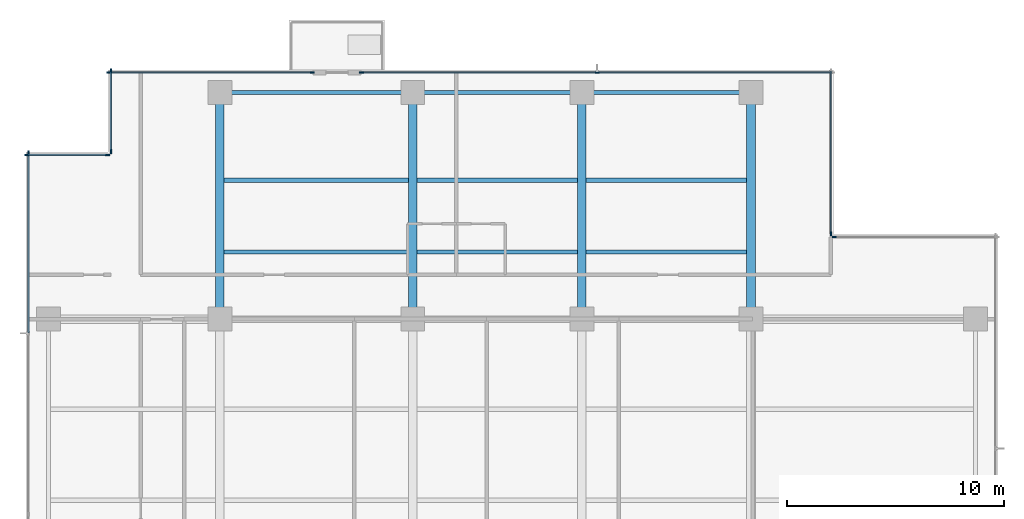
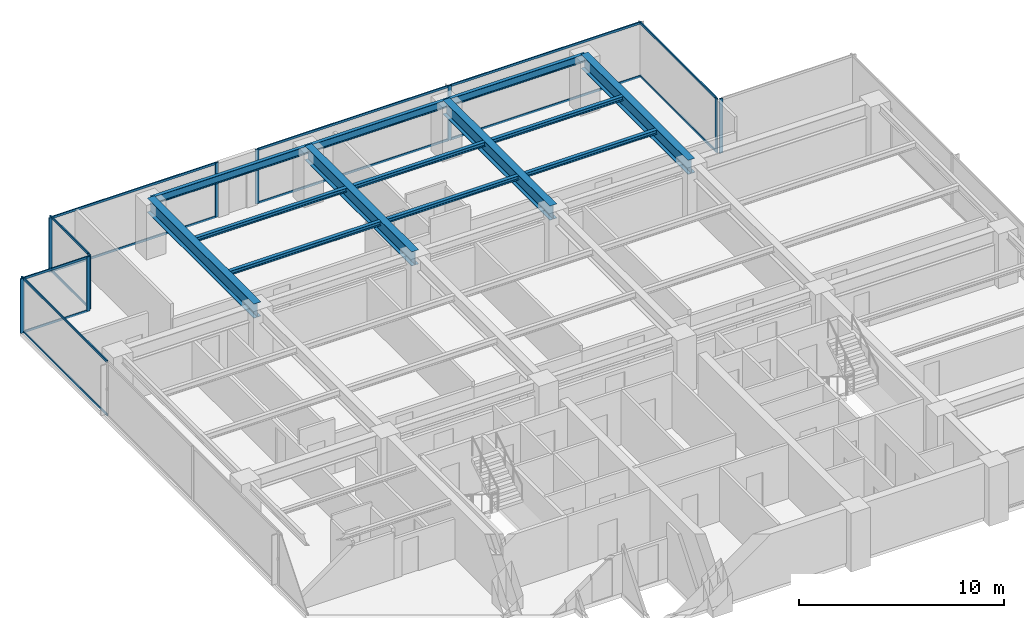
# One storey, part 4 of 14: 25 members, 13 beams, 7 elements without a shape of their own.
"""IFC4 building model written with IfcOpenShell, lengths in metres."""

from ifc_helpers import new_model, si_unit, direction, frame, origin, origin_2d, place, context, subcontext, project, spatial, rectangle, i_section, extrude, material, layer, layer_set, material_profile, profile_set, type_object, element, aggregate, save


model = new_model("IFC4")

# Units and contexts
model_context = context("Model", 3, precision=1e-05, world=origin(), true_north=direction((0.0, 1.0)))
body_context = subcontext(model_context, "Body", "Model", "MODEL_VIEW")
ifc_project = project(units=[si_unit("LENGTHUNIT", "METRE"), si_unit("AREAUNIT", "SQUARE_METRE"), si_unit("VOLUMEUNIT", "CUBIC_METRE"), si_unit("PLANEANGLEUNIT", "RADIAN"), si_unit("MASSUNIT", "GRAM", prefix="KILO")], contexts=[model_context])

# Site, building, storey
site_placement = place(None, origin())
site = spatial("IfcSite", under=ifc_project, at=site_placement, CompositionType="ELEMENT")
building_placement = place(site_placement, origin())
building = spatial("IfcBuilding", under=site, at=building_placement, Name="Qalmaran Belvedere Hotel", CompositionType="ELEMENT")
storey_placement = place(building_placement, frame((0.0, 0.0, 177.10009765625)))
storey = spatial("IfcBuildingStorey", under=building, at=storey_placement, Name="L45", CompositionType="ELEMENT", Elevation=177.10009765625)

# Beams
ifc_material_1 = material(Name="Steel S355JR", Category="steel")
ifc_material_profile_1 = material_profile(ifc_material_1, i_section(OverallWidth=0.201904296875, OverallDepth=0.2470703125, WebThickness=0.00732421875, FlangeThickness=0.010986328125, FilletRadius=0.011962890625, at=origin_2d()), Name="W250X49")
ifc_profile_set_1 = profile_set([ifc_material_profile_1], Name="Steel S355JR")
beam_type_1 = type_object("IfcBeamType", Name="BM-JST-W250X49", PredefinedType="JOIST", material=ifc_profile_set_1)
beam_1_placement = place(storey_placement, frame((20.498046875, 36.10009765625, 3.12646484375), z_axis=(1.0, 0.0, 0.0), x_axis=(0.0, 1.0, 0.0)))
element("IfcBeam", 1, at=beam_1_placement, inside=storey, type_object=beam_type_1, Name="L45 North Floor Joist 042", PredefinedType="JOIST", context=body_context, shape_type="SweptSolid", body=[
    extrude(i_section(OverallWidth=0.201904296875, OverallDepth=0.2470703125, WebThickness=0.00732421875, FlangeThickness=0.010986328125, FilletRadius=0.011962890625, at=origin_2d()), origin(), (0.0, 0.0, 1.0), 8.50390625),
])
for number, where, z_axis, x_axis, name in (
    (2, (29.39794921875, 36.10009765625, 3.12646484375), (1.0, 0.0, 0.0), (0.0, 1.0, 0.0), "L45 North Floor Joist 043"),
    (3, (37.197998046875, 36.10009765625, 3.12646484375), (1.0, 0.0, 0.0), (0.0, 1.0, 0.0), "L45 North Floor Joist 044"),
):
    element("IfcBeam", number, at=place(storey_placement, frame(where, z_axis=z_axis, x_axis=x_axis)), inside=storey, type_object=beam_type_1, Name=name, PredefinedType="JOIST", context=body_context, shape_type="SweptSolid", body=[
        extrude(i_section(OverallWidth=0.201904296875, OverallDepth=0.2470703125, WebThickness=0.00732421875, FlangeThickness=0.010986328125, FilletRadius=0.011962890625, at=origin_2d()), origin(), (0.0, 0.0, 1.0), 7.404052734375),
    ])
beam_2_placement = place(storey_placement, frame((20.498046875, 39.39990234375, 3.12646484375), z_axis=(1.0, 0.0, 0.0), x_axis=(0.0, 1.0, 0.0)))
element("IfcBeam", 4, at=beam_2_placement, inside=storey, type_object=beam_type_1, Name="L45 North Floor Joist 045", PredefinedType="JOIST", context=body_context, shape_type="SweptSolid", body=[
    extrude(i_section(OverallWidth=0.201904296875, OverallDepth=0.2470703125, WebThickness=0.00732421875, FlangeThickness=0.010986328125, FilletRadius=0.011962890625, at=origin_2d()), origin(), (0.0, 0.0, 1.0), 8.50390625),
])
for number, where, z_axis, x_axis, name in (
    (5, (29.39794921875, 39.39990234375, 3.12646484375), (1.0, 0.0, 0.0), (0.0, 1.0, 0.0), "L45 North Floor Joist 046"),
    (6, (37.197998046875, 39.39990234375, 3.12646484375), (1.0, 0.0, 0.0), (0.0, 1.0, 0.0), "L45 North Floor Joist 047"),
):
    element("IfcBeam", number, at=place(storey_placement, frame(where, z_axis=z_axis, x_axis=x_axis)), inside=storey, type_object=beam_type_1, Name=name, PredefinedType="JOIST", context=body_context, shape_type="SweptSolid", body=[
        extrude(i_section(OverallWidth=0.201904296875, OverallDepth=0.2470703125, WebThickness=0.00732421875, FlangeThickness=0.010986328125, FilletRadius=0.011962890625, at=origin_2d()), origin(), (0.0, 0.0, 1.0), 7.404052734375),
    ])
ifc_material_profile_2 = material_profile(ifc_material_1, i_section(OverallWidth=0.39990234375, OverallDepth=0.85498046875, WebThickness=0.018310546875, FlangeThickness=0.029296875, FilletRadius=0.02392578125, at=origin_2d()), Name="W840X299")
ifc_profile_set_2 = profile_set([ifc_material_profile_2], Name="Steel S355JR")
beam_type_2 = type_object("IfcBeamType", Name="BM-PG3-W840X299", PredefinedType="USERDEFINED", material=ifc_profile_set_2)
for number, where, z_axis, x_axis, name in (
    (7, (20.300048828125, 33.0, 2.822509765625), (0.0, 1.0, 0.0), (-1.0, 0.0, 0.0), "L45 North Bay Girder 15"),
    (8, (29.199951171875, 33.0, 2.822509765625), (0.0, 1.0, 0.0), (-1.0, 0.0, 0.0), "L45 North Bay Girder 17"),
    (9, (37.0, 33.0, 2.822509765625), (0.0, 1.0, 0.0), (-1.0, 0.0, 0.0), "L45 North Bay Girder 19"),
    (10, (44.800048828125, 33.0, 2.822509765625), (0.0, 1.0, 0.0), (-1.0, 0.0, 0.0), "L45 North Bay Girder 21"),
):
    element("IfcBeam", number, at=place(storey_placement, frame(where, z_axis=z_axis, x_axis=x_axis)), inside=storey, type_object=beam_type_2, Name=name, ObjectType="GIRDER", PredefinedType="USERDEFINED", context=body_context, shape_type="SweptSolid", body=[
        extrude(i_section(OverallWidth=0.39990234375, OverallDepth=0.85498046875, WebThickness=0.018310546875, FlangeThickness=0.029296875, FilletRadius=0.02392578125, at=origin_2d()), origin(), (0.0, 0.0, 1.0), 10.449951171875),
    ])
ifc_material_profile_3 = material_profile(ifc_material_1, i_section(OverallWidth=0.19189453125, OverallDepth=0.462890625, WebThickness=0.010498046875, FlangeThickness=0.017578125, FilletRadius=0.01611328125, at=origin_2d()), Name="W460X89")
ifc_profile_set_3 = profile_set([ifc_material_profile_3], Name="Steel S355JR")
beam_type_3 = type_object("IfcBeamType", Name="BM-SP2-W460X89", PredefinedType="SPANDREL", material=ifc_profile_set_3)
beam_3_placement = place(storey_placement, frame((20.300048828125, 43.449951171875, 3.018310546875), z_axis=(1.0, 0.0, 0.0), x_axis=(0.0, 1.0, 0.0)))
element("IfcBeam", 11, at=beam_3_placement, inside=storey, type_object=beam_type_3, Name="L45 Perimeter Spandrel 05", PredefinedType="SPANDREL", context=body_context, shape_type="SweptSolid", body=[
    extrude(i_section(OverallWidth=0.19189453125, OverallDepth=0.462890625, WebThickness=0.010498046875, FlangeThickness=0.017578125, FilletRadius=0.01611328125, at=origin_2d()), origin(), (0.0, 0.0, 1.0), 8.89990234375),
])
for number, where, z_axis, x_axis, name in (
    (12, (29.199951171875, 43.449951171875, 3.018310546875), (1.0, 0.0, 0.0), (0.0, 1.0, 0.0), "L45 Perimeter Spandrel 06"),
    (13, (37.0, 43.449951171875, 3.018310546875), (1.0, 0.0, 0.0), (0.0, 1.0, 0.0), "L45 Perimeter Spandrel 07"),
):
    element("IfcBeam", number, at=place(storey_placement, frame(where, z_axis=z_axis, x_axis=x_axis)), inside=storey, type_object=beam_type_3, Name=name, PredefinedType="SPANDREL", context=body_context, shape_type="SweptSolid", body=[
        extrude(i_section(OverallWidth=0.19189453125, OverallDepth=0.462890625, WebThickness=0.010498046875, FlangeThickness=0.017578125, FilletRadius=0.01611328125, at=origin_2d()), origin(), (0.0, 0.0, 1.0), 7.800048828125),
    ])

# Curtain wall, member
ifc_material_2 = material(Name="Anodised Bronze Aluminium", Category="aluminium")
ifc_layer = layer(ifc_material_2, 0.195068359375, Name="Anodised Bronze Aluminium")
ifc_layer_set = layer_set([ifc_layer], Name="Anodised Bronze Aluminium")
curtain_wall_type = type_object("IfcCurtainWallType", Name="CW4-TOWER-HIGHMID", PredefinedType="NOTDEFINED", material=ifc_layer_set)
curtain_wall_1_placement = place(storey_placement, origin())
curtain_wall_1 = element("IfcCurtainWall", 14, at=curtain_wall_1_placement, inside=storey, type_object=curtain_wall_type, Name="L45 Curtain Wall CW4", PredefinedType="NOTDEFINED")
ifc_material_profile_4 = material_profile(ifc_material_2, rectangle(XDim=0.070068359375, YDim=0.18994140625, at=origin_2d()), Name="CWM70X190")
ifc_profile_set_4 = profile_set([ifc_material_profile_4], Name="Anodised Bronze Aluminium")
member_type_1 = type_object("IfcMemberType", Name="CWM-70X190", PredefinedType="MULLION", material=ifc_profile_set_4)
member_1_placement = place(storey_placement, frame((48.635009765625, 36.780029296875, 0.0), z_axis=(0.0, 0.0, 1.0), x_axis=(0.0, -1.0, 0.0)))
member_1 = element("IfcMember", 15, at=member_1_placement, type_object=member_type_1, Name="CW4 mullion 2", PredefinedType="MULLION", context=body_context, shape_type="SweptSolid", body=[
    extrude(rectangle(XDim=0.070068359375, YDim=0.18994140625, at=origin_2d()), origin(), (0.0, 0.0, 1.0), 3.25),
])
aggregate(curtain_wall_1, [member_1])

curtain_wall_2_placement = place(storey_placement, origin())
curtain_wall_2 = element("IfcCurtainWall", 16, at=curtain_wall_2_placement, inside=storey, type_object=curtain_wall_type, Name="L45 Curtain Wall CW4", PredefinedType="NOTDEFINED")
member_2_placement = place(storey_placement, frame((48.47998046875, 36.93505859375, 0.0), z_axis=(0.0, 0.0, 1.0), x_axis=(-1.0, 0.0, 0.0)))
member_2 = element("IfcMember", 17, at=member_2_placement, type_object=member_type_1, Name="CW4 mullion 1", PredefinedType="MULLION", context=body_context, shape_type="SweptSolid", body=[
    extrude(rectangle(XDim=0.070068359375, YDim=0.18994140625, at=origin_2d()), origin(), (0.0, 0.0, 1.0), 3.25),
])

# Curtain wall, members
curtain_wall_3_placement = place(storey_placement, origin())
curtain_wall_3 = element("IfcCurtainWall", 18, at=curtain_wall_3_placement, inside=storey, type_object=curtain_wall_type, Name="L45 Curtain Wall CW4", PredefinedType="NOTDEFINED")
member_3_placement = place(storey_placement, frame((24.56494140625, 44.3798828125, 0.0), z_axis=(0.0, 0.0, 1.0), x_axis=(0.0, -1.0, 0.0)))
member_3 = element("IfcMember", 19, at=member_3_placement, type_object=member_type_1, Name="CW4 mullion 1", PredefinedType="MULLION", context=body_context, shape_type="SweptSolid", body=[
    extrude(rectangle(XDim=0.070068359375, YDim=0.18994140625, at=origin_2d()), origin(), (0.0, 0.0, 1.0), 3.25),
])
member_4_placement = place(storey_placement, frame((15.18505859375, 44.3798828125, 0.0), z_axis=(0.0, 0.0, 1.0), x_axis=(0.0, -1.0, 0.0)))
member_4 = element("IfcMember", 20, at=member_4_placement, type_object=member_type_1, Name="CW4 mullion 2", PredefinedType="MULLION", context=body_context, shape_type="SweptSolid", body=[
    extrude(rectangle(XDim=0.070068359375, YDim=0.18994140625, at=origin_2d()), origin(), (0.0, 0.0, 1.0), 3.25),
])

curtain_wall_4_placement = place(storey_placement, origin())
curtain_wall_4 = element("IfcCurtainWall", 21, at=curtain_wall_4_placement, inside=storey, type_object=curtain_wall_type, Name="L45 Curtain Wall CW4", PredefinedType="NOTDEFINED")
member_5_placement = place(storey_placement, frame((37.699951171875, 44.3798828125, 0.0), z_axis=(0.0, 0.0, 1.0), x_axis=(0.0, -1.0, 0.0)))
member_5 = element("IfcMember", 22, at=member_5_placement, type_object=member_type_1, Name="CW4 mullion 2", PredefinedType="MULLION", context=body_context, shape_type="SweptSolid", body=[
    extrude(rectangle(XDim=0.070068359375, YDim=0.18994140625, at=origin_2d()), origin(), (0.0, 0.0, 1.0), 3.25),
])
member_6_placement = place(storey_placement, frame((26.8349609375, 44.3798828125, 0.0), z_axis=(0.0, 0.0, 1.0), x_axis=(0.0, -1.0, 0.0)))
member_6 = element("IfcMember", 23, at=member_6_placement, type_object=member_type_1, Name="CW4 mullion 3", PredefinedType="MULLION", context=body_context, shape_type="SweptSolid", body=[
    extrude(rectangle(XDim=0.070068359375, YDim=0.18994140625, at=origin_2d()), origin(), (0.0, 0.0, 1.0), 3.25),
])

curtain_wall_5_placement = place(storey_placement, origin())
curtain_wall_5 = element("IfcCurtainWall", 24, at=curtain_wall_5_placement, inside=storey, type_object=curtain_wall_type, Name="L45 Curtain Wall CW4", PredefinedType="NOTDEFINED")
member_7_placement = place(storey_placement, frame((15.27001953125, 44.465087890625, 0.0), z_axis=(0.0, 0.0, 1.0), x_axis=(1.0, 0.0, 0.0)))
member_7 = element("IfcMember", 25, at=member_7_placement, type_object=member_type_1, Name="CW4 mullion 1", PredefinedType="MULLION", context=body_context, shape_type="SweptSolid", body=[
    extrude(rectangle(XDim=0.070068359375, YDim=0.18994140625, at=origin_2d()), origin(), (0.0, 0.0, 1.0), 3.25),
])
member_8_placement = place(storey_placement, frame((15.27001953125, 40.735107421875, 0.0), z_axis=(0.0, 0.0, 1.0), x_axis=(1.0, 0.0, 0.0)))
member_8 = element("IfcMember", 26, at=member_8_placement, type_object=member_type_1, Name="CW4 mullion 2", PredefinedType="MULLION", context=body_context, shape_type="SweptSolid", body=[
    extrude(rectangle(XDim=0.070068359375, YDim=0.18994140625, at=origin_2d()), origin(), (0.0, 0.0, 1.0), 3.25),
])

curtain_wall_6_placement = place(storey_placement, origin())
curtain_wall_6 = element("IfcCurtainWall", 27, at=curtain_wall_6_placement, inside=storey, type_object=curtain_wall_type, Name="L45 Curtain Wall CW4", PredefinedType="NOTDEFINED")
member_9_placement = place(storey_placement, frame((15.114990234375, 40.580078125, 0.0), z_axis=(0.0, 0.0, 1.0), x_axis=(0.0, -1.0, 0.0)))
member_9 = element("IfcMember", 28, at=member_9_placement, type_object=member_type_1, Name="CW4 mullion 1", PredefinedType="MULLION", context=body_context, shape_type="SweptSolid", body=[
    extrude(rectangle(XDim=0.070068359375, YDim=0.18994140625, at=origin_2d()), origin(), (0.0, 0.0, 1.0), 3.25),
])
member_10_placement = place(storey_placement, frame((11.385009765625, 40.580078125, 0.0), z_axis=(0.0, 0.0, 1.0), x_axis=(0.0, -1.0, 0.0)))
member_10 = element("IfcMember", 29, at=member_10_placement, type_object=member_type_1, Name="CW4 mullion 2", PredefinedType="MULLION", context=body_context, shape_type="SweptSolid", body=[
    extrude(rectangle(XDim=0.070068359375, YDim=0.18994140625, at=origin_2d()), origin(), (0.0, 0.0, 1.0), 3.25),
])

# Curtain wall, member
curtain_wall_7_placement = place(storey_placement, origin())
curtain_wall_7 = element("IfcCurtainWall", 30, at=curtain_wall_7_placement, inside=storey, type_object=curtain_wall_type, Name="L45 Curtain Wall CW4", PredefinedType="NOTDEFINED")
member_11_placement = place(storey_placement, frame((11.469970703125, 40.6650390625, 0.0), z_axis=(0.0, 0.0, 1.0), x_axis=(1.0, 0.0, 0.0)))
member_11 = element("IfcMember", 31, at=member_11_placement, type_object=member_type_1, Name="CW4 mullion 1", PredefinedType="MULLION", context=body_context, shape_type="SweptSolid", body=[
    extrude(rectangle(XDim=0.070068359375, YDim=0.18994140625, at=origin_2d()), origin(), (0.0, 0.0, 1.0), 3.25),
])

# Member
ifc_material_profile_5 = material_profile(ifc_material_2, rectangle(XDim=0.06494140625, YDim=0.1298828125, at=origin_2d()), Name="CWT65X130")
ifc_profile_set_5 = profile_set([ifc_material_profile_5], Name="Anodised Bronze Aluminium")
member_type_2 = type_object("IfcMemberType", Name="CWT-65X130", PredefinedType="USERDEFINED", material=ifc_profile_set_5)
member_12_placement = place(storey_placement, frame((48.47998046875, 36.969970703125, 0.032470703125), z_axis=(0.0, 1.0, 0.0), x_axis=(-1.0, 0.0, 0.0)))
member_12 = element("IfcMember", 32, at=member_12_placement, type_object=member_type_2, Name="CW4 transom 1.1", ObjectType="TRANSOM", PredefinedType="USERDEFINED", context=body_context, shape_type="SweptSolid", body=[
    extrude(rectangle(XDim=0.06494140625, YDim=0.1298828125, at=origin_2d()), origin(), (0.0, 0.0, 1.0), 7.4599609375),
])

member_13_placement = place(storey_placement, frame((48.47998046875, 36.969970703125, 3.21728515625), z_axis=(0.0, 1.0, 0.0), x_axis=(-1.0, 0.0, 0.0)))
member_13 = element("IfcMember", 33, at=member_13_placement, type_object=member_type_2, Name="CW4 transom 1.2", ObjectType="TRANSOM", PredefinedType="USERDEFINED", context=body_context, shape_type="SweptSolid", body=[
    extrude(rectangle(XDim=0.06494140625, YDim=0.1298828125, at=origin_2d()), origin(), (0.0, 0.0, 1.0), 7.4599609375),
])

aggregate(curtain_wall_2, [member_2, member_12, member_13])

member_14_placement = place(storey_placement, frame((24.530029296875, 44.3798828125, 0.032470703125), z_axis=(-1.0, 0.0, 0.0), x_axis=(0.0, -1.0, 0.0)))
member_14 = element("IfcMember", 34, at=member_14_placement, type_object=member_type_2, Name="CW4 transom 1.1", ObjectType="TRANSOM", PredefinedType="USERDEFINED", context=body_context, shape_type="SweptSolid", body=[
    extrude(rectangle(XDim=0.06494140625, YDim=0.1298828125, at=origin_2d()), origin(), (0.0, 0.0, 1.0), 9.31005859375),
])

member_15_placement = place(storey_placement, frame((24.530029296875, 44.3798828125, 3.21728515625), z_axis=(-1.0, 0.0, 0.0), x_axis=(0.0, -1.0, 0.0)))
member_15 = element("IfcMember", 35, at=member_15_placement, type_object=member_type_2, Name="CW4 transom 1.2", ObjectType="TRANSOM", PredefinedType="USERDEFINED", context=body_context, shape_type="SweptSolid", body=[
    extrude(rectangle(XDim=0.06494140625, YDim=0.1298828125, at=origin_2d()), origin(), (0.0, 0.0, 1.0), 9.31005859375),
])

aggregate(curtain_wall_3, [member_3, member_4, member_14, member_15])

member_16_placement = place(storey_placement, frame((48.530029296875, 44.3798828125, 0.032470703125), z_axis=(-1.0, 0.0, 0.0), x_axis=(0.0, -1.0, 0.0)))
member_16 = element("IfcMember", 36, at=member_16_placement, type_object=member_type_2, Name="CW4 transom 1.1", ObjectType="TRANSOM", PredefinedType="USERDEFINED", context=body_context, shape_type="SweptSolid", body=[
    extrude(rectangle(XDim=0.06494140625, YDim=0.1298828125, at=origin_2d()), origin(), (0.0, 0.0, 1.0), 10.794921875),
])

member_17_placement = place(storey_placement, frame((48.530029296875, 44.3798828125, 3.21728515625), z_axis=(-1.0, 0.0, 0.0), x_axis=(0.0, -1.0, 0.0)))
member_17 = element("IfcMember", 37, at=member_17_placement, type_object=member_type_2, Name="CW4 transom 1.2", ObjectType="TRANSOM", PredefinedType="USERDEFINED", context=body_context, shape_type="SweptSolid", body=[
    extrude(rectangle(XDim=0.06494140625, YDim=0.1298828125, at=origin_2d()), origin(), (0.0, 0.0, 1.0), 10.794921875),
])

member_18_placement = place(storey_placement, frame((37.6650390625, 44.3798828125, 0.032470703125), z_axis=(-1.0, 0.0, 0.0), x_axis=(0.0, -1.0, 0.0)))
member_18 = element("IfcMember", 38, at=member_18_placement, type_object=member_type_2, Name="CW4 transom 2.1", ObjectType="TRANSOM", PredefinedType="USERDEFINED", context=body_context, shape_type="SweptSolid", body=[
    extrude(rectangle(XDim=0.06494140625, YDim=0.1298828125, at=origin_2d()), origin(), (0.0, 0.0, 1.0), 10.794921875),
])

member_19_placement = place(storey_placement, frame((37.6650390625, 44.3798828125, 3.21728515625), z_axis=(-1.0, 0.0, 0.0), x_axis=(0.0, -1.0, 0.0)))
member_19 = element("IfcMember", 39, at=member_19_placement, type_object=member_type_2, Name="CW4 transom 2.2", ObjectType="TRANSOM", PredefinedType="USERDEFINED", context=body_context, shape_type="SweptSolid", body=[
    extrude(rectangle(XDim=0.06494140625, YDim=0.1298828125, at=origin_2d()), origin(), (0.0, 0.0, 1.0), 10.794921875),
])

aggregate(curtain_wall_4, [member_5, member_6, member_16, member_17, member_18, member_19])

member_20_placement = place(storey_placement, frame((15.27001953125, 44.429931640625, 0.032470703125), z_axis=(0.0, -1.0, 0.0), x_axis=(1.0, 0.0, 0.0)))
member_20 = element("IfcMember", 40, at=member_20_placement, type_object=member_type_2, Name="CW4 transom 1.1", ObjectType="TRANSOM", PredefinedType="USERDEFINED", context=body_context, shape_type="SweptSolid", body=[
    extrude(rectangle(XDim=0.06494140625, YDim=0.1298828125, at=origin_2d()), origin(), (0.0, 0.0, 1.0), 3.659912109375),
])

member_21_placement = place(storey_placement, frame((15.27001953125, 44.429931640625, 3.21728515625), z_axis=(0.0, -1.0, 0.0), x_axis=(1.0, 0.0, 0.0)))
member_21 = element("IfcMember", 41, at=member_21_placement, type_object=member_type_2, Name="CW4 transom 1.2", ObjectType="TRANSOM", PredefinedType="USERDEFINED", context=body_context, shape_type="SweptSolid", body=[
    extrude(rectangle(XDim=0.06494140625, YDim=0.1298828125, at=origin_2d()), origin(), (0.0, 0.0, 1.0), 3.659912109375),
])

aggregate(curtain_wall_5, [member_7, member_8, member_20, member_21])

member_22_placement = place(storey_placement, frame((15.080078125, 40.580078125, 0.032470703125), z_axis=(-1.0, 0.0, 0.0), x_axis=(0.0, -1.0, 0.0)))
member_22 = element("IfcMember", 42, at=member_22_placement, type_object=member_type_2, Name="CW4 transom 1.1", ObjectType="TRANSOM", PredefinedType="USERDEFINED", context=body_context, shape_type="SweptSolid", body=[
    extrude(rectangle(XDim=0.06494140625, YDim=0.1298828125, at=origin_2d()), origin(), (0.0, 0.0, 1.0), 3.66015625),
])

member_23_placement = place(storey_placement, frame((15.080078125, 40.580078125, 3.21728515625), z_axis=(-1.0, 0.0, 0.0), x_axis=(0.0, -1.0, 0.0)))
member_23 = element("IfcMember", 43, at=member_23_placement, type_object=member_type_2, Name="CW4 transom 1.2", ObjectType="TRANSOM", PredefinedType="USERDEFINED", context=body_context, shape_type="SweptSolid", body=[
    extrude(rectangle(XDim=0.06494140625, YDim=0.1298828125, at=origin_2d()), origin(), (0.0, 0.0, 1.0), 3.66015625),
])

aggregate(curtain_wall_6, [member_9, member_10, member_22, member_23])

member_24_placement = place(storey_placement, frame((11.469970703125, 40.6298828125, 0.032470703125), z_axis=(0.0, -1.0, 0.0), x_axis=(1.0, 0.0, 0.0)))
member_24 = element("IfcMember", 44, at=member_24_placement, type_object=member_type_2, Name="CW4 transom 1.1", ObjectType="TRANSOM", PredefinedType="USERDEFINED", context=body_context, shape_type="SweptSolid", body=[
    extrude(rectangle(XDim=0.06494140625, YDim=0.1298828125, at=origin_2d()), origin(), (0.0, 0.0, 1.0), 8.244873046875),
])

member_25_placement = place(storey_placement, frame((11.469970703125, 40.6298828125, 3.21728515625), z_axis=(0.0, -1.0, 0.0), x_axis=(1.0, 0.0, 0.0)))
member_25 = element("IfcMember", 45, at=member_25_placement, type_object=member_type_2, Name="CW4 transom 1.2", ObjectType="TRANSOM", PredefinedType="USERDEFINED", context=body_context, shape_type="SweptSolid", body=[
    extrude(rectangle(XDim=0.06494140625, YDim=0.1298828125, at=origin_2d()), origin(), (0.0, 0.0, 1.0), 8.244873046875),
])

aggregate(curtain_wall_7, [member_11, member_24, member_25])

save(model, "model.ifc")
